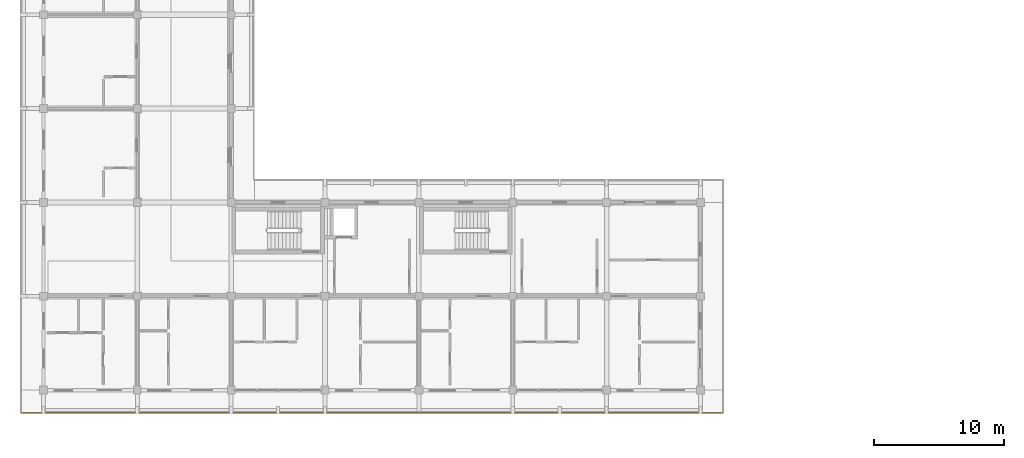
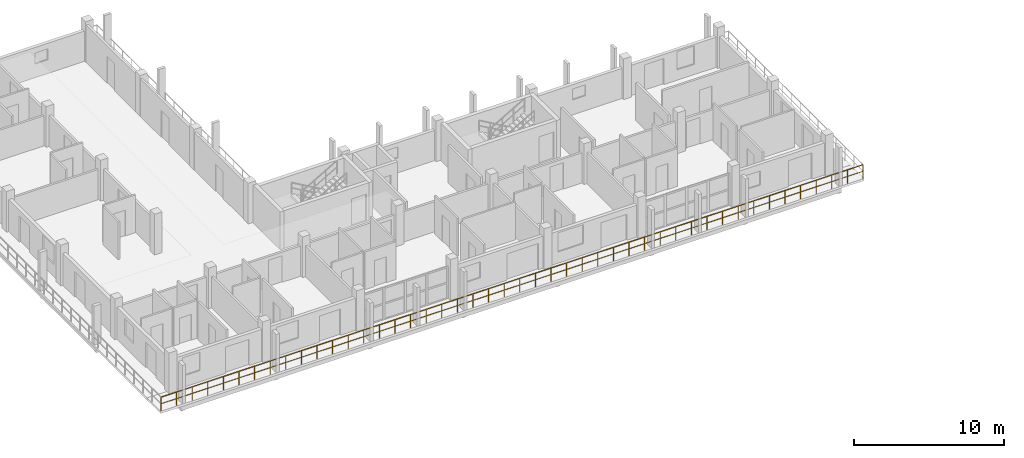
# One storey, part 60 of 75: 1 railing.
"""IFC4 building model written with IfcOpenShell, lengths in metres."""

from ifc_helpers import new_model, si_unit, direction, frame, origin, origin_2d, place, context, subcontext, project, spatial, rectangle, extrude, material, type_object, element, save


model = new_model("IFC4")

# Units and contexts
model_context = context("Model", 3, precision=1e-05, world=origin(), true_north=direction((0.0, 1.0)))
body_context = subcontext(model_context, "Body", "Model", "MODEL_VIEW")
ifc_project = project(units=[si_unit("LENGTHUNIT", "METRE"), si_unit("AREAUNIT", "SQUARE_METRE"), si_unit("VOLUMEUNIT", "CUBIC_METRE"), si_unit("PLANEANGLEUNIT", "RADIAN"), si_unit("MASSUNIT", "GRAM", prefix="KILO")], contexts=[model_context])

# Site, building, storey
site_placement = place(None, origin())
site = spatial("IfcSite", under=ifc_project, at=site_placement, CompositionType="ELEMENT")
building_placement = place(site_placement, origin())
building = spatial("IfcBuilding", under=site, at=building_placement, Name="Suanplinth Sawtooth Commons", CompositionType="ELEMENT")
storey_placement = place(building_placement, frame((0.0, 0.0, 18.60009765625)))
storey = spatial("IfcBuildingStorey", under=building, at=storey_placement, Name="L05", CompositionType="ELEMENT", Elevation=18.60009765625)

# Railing
ifc_material = material(Name="Powder-coated galvanized steel", Category="steel")
railing_type = type_object("IfcRailingType", Name="GR-01", PredefinedType="BALUSTRADE", material=ifc_material)
railing_placement = place(storey_placement, frame((52.139892578125, -1.739990234375, 0.0)))
element("IfcRailing", 1, at=railing_placement, inside=storey, type_object=railing_type, Name="L05 Block D Perimeter Balustrade 6", PredefinedType="BALUSTRADE", context=body_context, shape_type="SweptSolid", body=[
    extrude(rectangle(XDim=0.048095703125, YDim=0.048095703125, at=origin_2d()), frame((0.0, 0.0, 1.09619140625), z_axis=(-1.0, 0.0, 0.0), x_axis=(0.0, -1.0, 0.0)), (0.0, 0.0, 1.0), 53.8798828125),
    extrude(rectangle(XDim=0.03369140625, YDim=0.03369140625, at=origin_2d()), frame((0.0, 0.0, 0.56005859375), z_axis=(-1.0, 0.0, 0.0), x_axis=(0.0, -1.0, 0.0)), (0.0, 0.0, 1.0), 53.8798828125),
    extrude(rectangle(XDim=0.0419921875, YDim=0.0419921875, at=origin_2d()), origin(), (0.0, 0.0, 1.0), 1.072021484375),
    extrude(rectangle(XDim=0.0419921875, YDim=0.0419921875, at=origin_2d()), frame((-1.197265625, 0.0, 0.0)), (0.0, 0.0, 1.0), 1.072021484375),
    extrude(rectangle(XDim=0.0419921875, YDim=0.0419921875, at=origin_2d()), frame((-2.394775390625, 0.0, 0.0)), (0.0, 0.0, 1.0), 1.072021484375),
    extrude(rectangle(XDim=0.0419921875, YDim=0.0419921875, at=origin_2d()), frame((-3.592041015625, 0.0, 0.0)), (0.0, 0.0, 1.0), 1.072021484375),
    extrude(rectangle(XDim=0.0419921875, YDim=0.0419921875, at=origin_2d()), frame((-4.789306640625, 0.0, 0.0)), (0.0, 0.0, 1.0), 1.072021484375),
    extrude(rectangle(XDim=0.0419921875, YDim=0.0419921875, at=origin_2d()), frame((-5.986572265625, 0.0, 0.0)), (0.0, 0.0, 1.0), 1.072021484375),
    extrude(rectangle(XDim=0.0419921875, YDim=0.0419921875, at=origin_2d()), frame((-7.18408203125, 0.0, 0.0)), (0.0, 0.0, 1.0), 1.072021484375),
    extrude(rectangle(XDim=0.0419921875, YDim=0.0419921875, at=origin_2d()), frame((-8.38134765625, 0.0, 0.0)), (0.0, 0.0, 1.0), 1.072021484375),
    extrude(rectangle(XDim=0.0419921875, YDim=0.0419921875, at=origin_2d()), frame((-9.57861328125, 0.0, 0.0)), (0.0, 0.0, 1.0), 1.072021484375),
    extrude(rectangle(XDim=0.0419921875, YDim=0.0419921875, at=origin_2d()), frame((-10.77587890625, 0.0, 0.0)), (0.0, 0.0, 1.0), 1.072021484375),
    extrude(rectangle(XDim=0.0419921875, YDim=0.0419921875, at=origin_2d()), frame((-11.973388671875, 0.0, 0.0)), (0.0, 0.0, 1.0), 1.072021484375),
    extrude(rectangle(XDim=0.0419921875, YDim=0.0419921875, at=origin_2d()), frame((-13.170654296875, 0.0, 0.0)), (0.0, 0.0, 1.0), 1.072021484375),
    extrude(rectangle(XDim=0.0419921875, YDim=0.0419921875, at=origin_2d()), frame((-14.367919921875, 0.0, 0.0)), (0.0, 0.0, 1.0), 1.072021484375),
    extrude(rectangle(XDim=0.0419921875, YDim=0.0419921875, at=origin_2d()), frame((-15.565185546875, 0.0, 0.0)), (0.0, 0.0, 1.0), 1.072021484375),
    extrude(rectangle(XDim=0.0419921875, YDim=0.0419921875, at=origin_2d()), frame((-16.7626953125, 0.0, 0.0)), (0.0, 0.0, 1.0), 1.072021484375),
    extrude(rectangle(XDim=0.0419921875, YDim=0.0419921875, at=origin_2d()), frame((-17.9599609375, 0.0, 0.0)), (0.0, 0.0, 1.0), 1.072021484375),
    extrude(rectangle(XDim=0.0419921875, YDim=0.0419921875, at=origin_2d()), frame((-19.1572265625, 0.0, 0.0)), (0.0, 0.0, 1.0), 1.072021484375),
    extrude(rectangle(XDim=0.0419921875, YDim=0.0419921875, at=origin_2d()), frame((-20.354736328125, 0.0, 0.0)), (0.0, 0.0, 1.0), 1.072021484375),
    extrude(rectangle(XDim=0.0419921875, YDim=0.0419921875, at=origin_2d()), frame((-21.552001953125, 0.0, 0.0)), (0.0, 0.0, 1.0), 1.072021484375),
    extrude(rectangle(XDim=0.0419921875, YDim=0.0419921875, at=origin_2d()), frame((-22.749267578125, 0.0, 0.0)), (0.0, 0.0, 1.0), 1.072021484375),
    extrude(rectangle(XDim=0.0419921875, YDim=0.0419921875, at=origin_2d()), frame((-23.946533203125, 0.0, 0.0)), (0.0, 0.0, 1.0), 1.072021484375),
    extrude(rectangle(XDim=0.0419921875, YDim=0.0419921875, at=origin_2d()), frame((-25.14404296875, 0.0, 0.0)), (0.0, 0.0, 1.0), 1.072021484375),
    extrude(rectangle(XDim=0.0419921875, YDim=0.0419921875, at=origin_2d()), frame((-26.34130859375, 0.0, 0.0)), (0.0, 0.0, 1.0), 1.072021484375),
    extrude(rectangle(XDim=0.0419921875, YDim=0.0419921875, at=origin_2d()), frame((-27.53857421875, 0.0, 0.0)), (0.0, 0.0, 1.0), 1.072021484375),
    extrude(rectangle(XDim=0.0419921875, YDim=0.0419921875, at=origin_2d()), frame((-28.73583984375, 0.0, 0.0)), (0.0, 0.0, 1.0), 1.072021484375),
    extrude(rectangle(XDim=0.0419921875, YDim=0.0419921875, at=origin_2d()), frame((-29.933349609375, 0.0, 0.0)), (0.0, 0.0, 1.0), 1.072021484375),
    extrude(rectangle(XDim=0.0419921875, YDim=0.0419921875, at=origin_2d()), frame((-31.130615234375, 0.0, 0.0)), (0.0, 0.0, 1.0), 1.072021484375),
    extrude(rectangle(XDim=0.0419921875, YDim=0.0419921875, at=origin_2d()), frame((-32.327880859375, 0.0, 0.0)), (0.0, 0.0, 1.0), 1.072021484375),
    extrude(rectangle(XDim=0.0419921875, YDim=0.0419921875, at=origin_2d()), frame((-33.525146484375, 0.0, 0.0)), (0.0, 0.0, 1.0), 1.072021484375),
    extrude(rectangle(XDim=0.0419921875, YDim=0.0419921875, at=origin_2d()), frame((-34.72265625, 0.0, 0.0)), (0.0, 0.0, 1.0), 1.072021484375),
    extrude(rectangle(XDim=0.0419921875, YDim=0.0419921875, at=origin_2d()), frame((-35.919921875, 0.0, 0.0)), (0.0, 0.0, 1.0), 1.072021484375),
    extrude(rectangle(XDim=0.0419921875, YDim=0.0419921875, at=origin_2d()), frame((-37.1171875, 0.0, 0.0)), (0.0, 0.0, 1.0), 1.072021484375),
    extrude(rectangle(XDim=0.0419921875, YDim=0.0419921875, at=origin_2d()), frame((-38.314697265625, 0.0, 0.0)), (0.0, 0.0, 1.0), 1.072021484375),
    extrude(rectangle(XDim=0.0419921875, YDim=0.0419921875, at=origin_2d()), frame((-39.511962890625, 0.0, 0.0)), (0.0, 0.0, 1.0), 1.072021484375),
    extrude(rectangle(XDim=0.0419921875, YDim=0.0419921875, at=origin_2d()), frame((-40.709228515625, 0.0, 0.0)), (0.0, 0.0, 1.0), 1.072021484375),
    extrude(rectangle(XDim=0.0419921875, YDim=0.0419921875, at=origin_2d()), frame((-41.906494140625, 0.0, 0.0)), (0.0, 0.0, 1.0), 1.072021484375),
    extrude(rectangle(XDim=0.0419921875, YDim=0.0419921875, at=origin_2d()), frame((-43.10400390625, 0.0, 0.0)), (0.0, 0.0, 1.0), 1.072021484375),
    extrude(rectangle(XDim=0.0419921875, YDim=0.0419921875, at=origin_2d()), frame((-44.30126953125, 0.0, 0.0)), (0.0, 0.0, 1.0), 1.072021484375),
    extrude(rectangle(XDim=0.0419921875, YDim=0.0419921875, at=origin_2d()), frame((-45.49853515625, 0.0, 0.0)), (0.0, 0.0, 1.0), 1.072021484375),
    extrude(rectangle(XDim=0.0419921875, YDim=0.0419921875, at=origin_2d()), frame((-46.69580078125, 0.0, 0.0)), (0.0, 0.0, 1.0), 1.072021484375),
    extrude(rectangle(XDim=0.0419921875, YDim=0.0419921875, at=origin_2d()), frame((-47.893310546875, 0.0, 0.0)), (0.0, 0.0, 1.0), 1.072021484375),
    extrude(rectangle(XDim=0.0419921875, YDim=0.0419921875, at=origin_2d()), frame((-49.090576171875, 0.0, 0.0)), (0.0, 0.0, 1.0), 1.072021484375),
    extrude(rectangle(XDim=0.0419921875, YDim=0.0419921875, at=origin_2d()), frame((-50.287841796875, 0.0, 0.0)), (0.0, 0.0, 1.0), 1.072021484375),
    extrude(rectangle(XDim=0.0419921875, YDim=0.0419921875, at=origin_2d()), frame((-51.485107421875, 0.0, 0.0)), (0.0, 0.0, 1.0), 1.072021484375),
    extrude(rectangle(XDim=0.0419921875, YDim=0.0419921875, at=origin_2d()), frame((-52.6826171875, 0.0, 0.0)), (0.0, 0.0, 1.0), 1.072021484375),
    extrude(rectangle(XDim=0.0419921875, YDim=0.0419921875, at=origin_2d()), frame((-53.8798828125, 0.0, 0.0)), (0.0, 0.0, 1.0), 1.072021484375),
])

save(model, "model.ifc")
